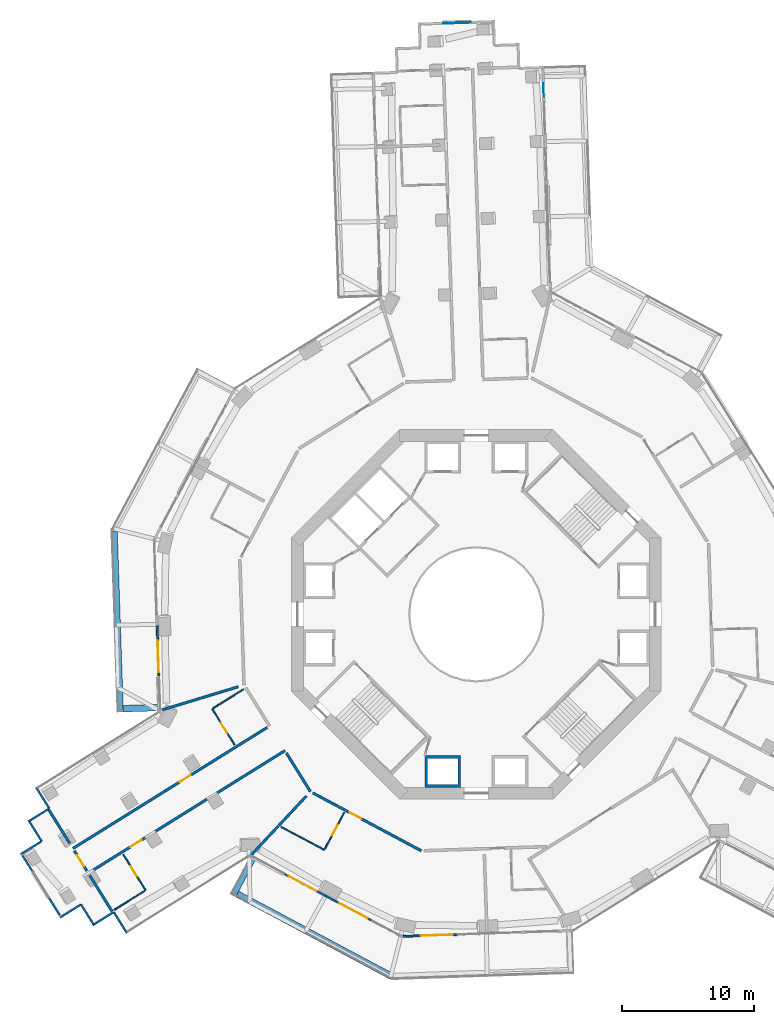
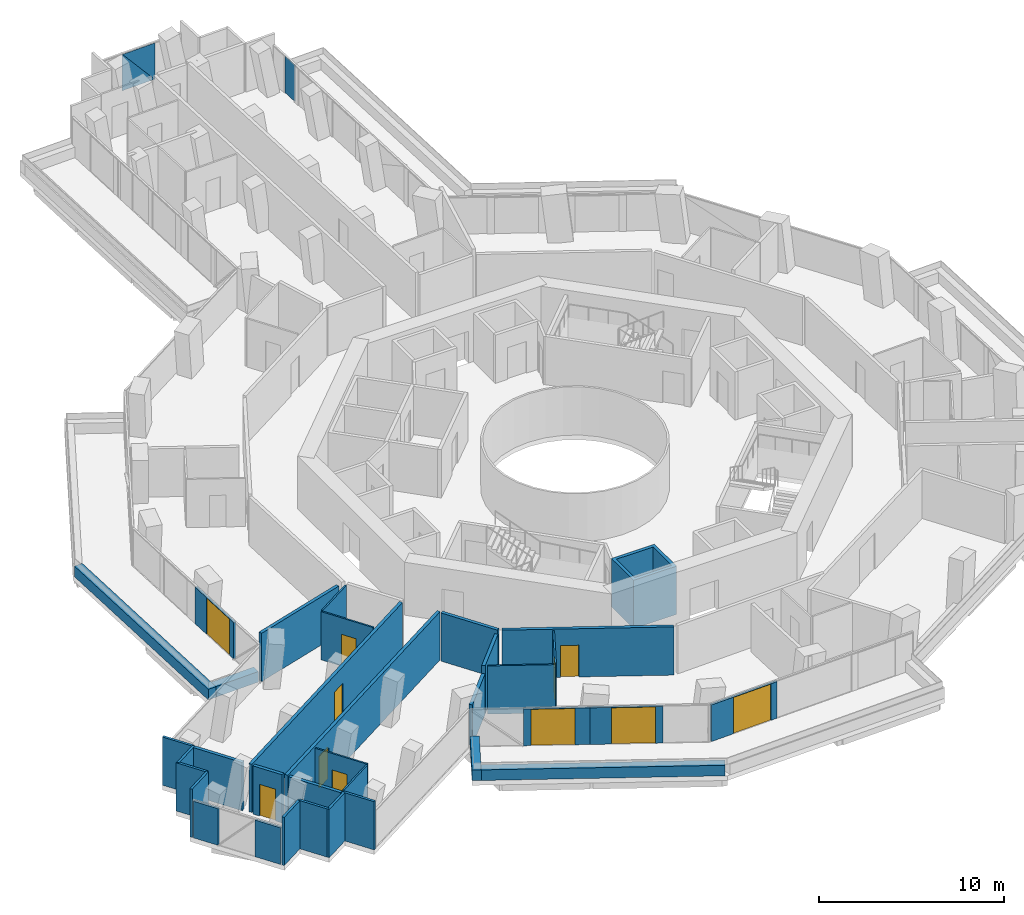
# One storey, part 18 of 27: 35 walls, 11 doors, 3 plates, 11 openings, 2 elements without a shape of their own.
"""IFC4 building model written with IfcOpenShell, lengths in metres."""

from ifc_helpers import new_model, si_unit, direction, frame, frame_2d, origin, origin_2d, place, context, subcontext, project, spatial, polyline, rectangle, outline, extrude, material, layer, layer_set, type_object, element, fill, aggregate, save


model = new_model("IFC4")

# Units and contexts
model_context = context("Model", 3, precision=1e-05, world=origin(), true_north=direction((0.0, 1.0)))
body_context = subcontext(model_context, "Body", "Model", "MODEL_VIEW")
ifc_project = project(units=[si_unit("LENGTHUNIT", "METRE"), si_unit("AREAUNIT", "SQUARE_METRE"), si_unit("VOLUMEUNIT", "CUBIC_METRE"), si_unit("PLANEANGLEUNIT", "RADIAN"), si_unit("MASSUNIT", "GRAM", prefix="KILO")], contexts=[model_context])

# Site, building, storey
site_placement = place(None, origin())
site = spatial("IfcSite", under=ifc_project, at=site_placement, CompositionType="ELEMENT")
building_placement = place(site_placement, origin())
building = spatial("IfcBuilding", under=site, at=building_placement, Name="Verdalira Terraces Hotel", CompositionType="ELEMENT")
storey_placement = place(building_placement, frame((0.0, 0.0, 42.5)))
storey = spatial("IfcBuildingStorey", under=building, at=storey_placement, Name="L08", CompositionType="ELEMENT", Elevation=42.5)

# Curtain wall, plate
ifc_material_1 = material(Name="Clear glass", Category="glass")
ifc_layer_1 = layer(ifc_material_1, 0.14990234375)
ifc_layer_set_1 = layer_set([ifc_layer_1], Name="CW2 curtain wall")
curtain_wall_type_1 = type_object("IfcCurtainWallType", Name="CW2 curtain wall", PredefinedType="NOTDEFINED", material=ifc_layer_set_1)
curtain_wall_1_placement = place(storey_placement, origin())
curtain_wall_1 = element("IfcCurtainWall", 1, at=curtain_wall_1_placement, inside=storey, type_object=curtain_wall_type_1, Name="CW2 curtain wall L08 edge 0", PredefinedType="NOTDEFINED")
ifc_material_2 = material(Name="Clear glass", Category="glass")
ifc_layer_2 = layer(ifc_material_2, 0.031982421875)
ifc_layer_set_2 = layer_set([ifc_layer_2], Name="CW2 glass unit 32")
plate_type_1 = type_object("IfcPlateType", Name="CW2 glass unit 32", PredefinedType="CURTAIN_PANEL", material=ifc_layer_set_2)
plate_1_placement = place(storey_placement, frame((5.098145, 39.689697, 0.0), z_axis=(0.0, 0.0, 1.0), x_axis=(-0.03350405, 0.999438582, 0.0)))
plate_1 = element("IfcPlate", 2, at=plate_1_placement, type_object=plate_type_1, Name="CW2 glass unit", PredefinedType="CURTAIN_PANEL", context=body_context, shape_type="SweptSolid", body=[
    extrude(rectangle(XDim=1.030518, YDim=0.031982, at=origin_2d()), origin(), (0.0, 0.0, 1.0), 2.425049),
])
aggregate(curtain_wall_1, [plate_1])

# Curtain wall, plates
ifc_material_3 = material(Name="Clear glass", Category="glass")
ifc_layer_3 = layer(ifc_material_3, 0.14990234375)
ifc_layer_set_3 = layer_set([ifc_layer_3], Name="CW3 curtain wall")
curtain_wall_type_2 = type_object("IfcCurtainWallType", Name="CW3 curtain wall", PredefinedType="NOTDEFINED", material=ifc_layer_set_3)
curtain_wall_2_placement = place(storey_placement, origin())
curtain_wall_2 = element("IfcCurtainWall", 3, at=curtain_wall_2_placement, inside=storey, type_object=curtain_wall_type_2, Name="CW3 curtain wall L08 edge 5", PredefinedType="NOTDEFINED")
ifc_material_4 = material(Name="Clear glass", Category="glass")
ifc_layer_4 = layer(ifc_material_4, 0.035888671875)
ifc_layer_set_4 = layer_set([ifc_layer_4], Name="CW3 glass unit 36")
plate_type_2 = type_object("IfcPlateType", Name="CW3 glass unit 36", PredefinedType="CURTAIN_PANEL", material=ifc_layer_set_4)
plate_2_placement = place(storey_placement, frame((-1.458496, 44.784668, 1.212402), z_axis=(-0.03350405, 0.999438582, 0.0), x_axis=(-0.999438582, -0.03350405, 0.0)))
plate_2 = element("IfcPlate", 4, at=plate_2_placement, type_object=plate_type_2, Name="CW3 glass unit", PredefinedType="CURTAIN_PANEL", context=body_context, shape_type="SweptSolid", body=[
    extrude(outline(polyline([(-1.032959, -1.212402), (1.032959, -1.212402), (1.032959, 1.212402), (-1.032959, -1.212402)])), origin(), (0.0, 0.0, 1.0), 0.035889),
])
plate_3_placement = place(storey_placement, frame((-1.457031, 44.747559, 1.212402), z_axis=(-0.03350405, 0.999438582, 0.0), x_axis=(-0.999438582, -0.03350405, 0.0)))
plate_3 = element("IfcPlate", 5, at=plate_3_placement, type_object=plate_type_2, Name="CW3 glass unit", PredefinedType="CURTAIN_PANEL", context=body_context, shape_type="SweptSolid", body=[
    extrude(outline(polyline([(-1.032959, -1.212402), (1.032959, 1.212402), (-1.032959, 1.212402), (-1.032959, -1.212402)])), origin(), (0.0, 0.0, 1.0), 0.035889),
])
aggregate(curtain_wall_2, [plate_2, plate_3])

# Walls
ifc_material_5 = material(Name="Concrete C40", Category="concrete")
ifc_layer_5 = layer(ifc_material_5, 0.5)
ifc_layer_set_5 = layer_set([ifc_layer_5], Name="Balcony planter trough with tree")
wall_type_1 = type_object("IfcWallType", Name="Balcony planter trough with tree", PredefinedType="SOLIDWALL", material=ifc_layer_set_5)
wall_1_placement = place(storey_placement, frame((-27.435059, 6.307861, 0.0), z_axis=(0.0, 0.0, 1.0), x_axis=(0.033498455, -0.999438769, 0.0)))
element("IfcWall", 6, at=wall_1_placement, inside=storey, type_object=wall_type_1, Name="Balcony planter", PredefinedType="SOLIDWALL", context=body_context, shape_type="SweptSolid", body=[
    extrude(rectangle(XDim=13.723633, YDim=0.5, at=frame_2d((6.861816, 0.0))), origin(), (0.0, 0.0, 1.0), 0.699951),
])
wall_2_placement = place(storey_placement, frame((-26.733887, -7.149658, 0.0), z_axis=(0.0, 0.0, 1.0), x_axis=(0.999439775, 0.033468433, 0.0)))
element("IfcWall", 7, at=wall_2_placement, inside=storey, type_object=wall_type_1, Name="Balcony planter", PredefinedType="SOLIDWALL", context=body_context, shape_type="SweptSolid", body=[
    extrude(rectangle(XDim=2.698975, YDim=0.5, at=frame_2d((1.349609, 0.0))), origin(), (0.0, 0.0, 1.0), 0.699951),
])
wall_3_placement = place(storey_placement, frame((-16.93335, -18.461914, 0.0), z_axis=(0.0, 0.0, 1.0), x_axis=(-0.470655574, -0.882317024, 0.0)))
element("IfcWall", 8, at=wall_3_placement, inside=storey, type_object=wall_type_1, Name="Balcony planter", PredefinedType="SOLIDWALL", context=body_context, shape_type="SweptSolid", body=[
    extrude(rectangle(XDim=3.198975, YDim=0.5, at=frame_2d((1.599609, 0.0))), origin(), (0.0, 0.0, 1.0), 0.699951),
])
wall_4_placement = place(storey_placement, frame((-18.10083, -21.181396, 0.0), z_axis=(0.0, 0.0, 1.0), x_axis=(0.882291093, -0.470704182, 0.0)))
element("IfcWall", 9, at=wall_4_placement, inside=storey, type_object=wall_type_1, Name="Balcony planter", PredefinedType="SOLIDWALL", context=body_context, shape_type="SweptSolid", body=[
    extrude(rectangle(XDim=13.223633, YDim=0.5, at=frame_2d((6.611816, 0.0))), origin(), (0.0, 0.0, 1.0), 0.699951),
])
ifc_material_6 = material(Name="Moisture-resistant gypsum board partition")
ifc_layer_6 = layer(ifc_material_6, 0.10009765625)
ifc_layer_set_6 = layer_set([ifc_layer_6], Name="Bathroom partition 100 mm")
wall_type_2 = type_object("IfcWallType", Name="Bathroom partition 100 mm", PredefinedType="PARTITIONING", material=ifc_layer_set_6)
wall_5_placement = place(storey_placement, frame((-25.122559, -20.951172, 0.0), z_axis=(0.0, 0.0, 1.0), x_axis=(-0.848764455, -0.528771123, 0.0)))
element("IfcWall", 10, at=wall_5_placement, inside=storey, type_object=wall_type_2, Name="Bathroom partition", PredefinedType="PARTITIONING", context=body_context, shape_type="SweptSolid", body=[
    extrude(rectangle(XDim=2.700195, YDim=0.100098, at=frame_2d((1.350098, 0.0))), origin(), (0.0, 0.0, 1.0), 3.189941),
])

# Wall, opening, door
wall_6_placement = place(storey_placement, frame((-25.037598, -20.898193, 0.0), z_axis=(0.0, 0.0, 1.0), x_axis=(-0.528729608, 0.848790316, 0.0)))
wall_6 = element("IfcWall", 11, at=wall_6_placement, inside=storey, type_object=wall_type_2, Name="Bathroom partition", PredefinedType="PARTITIONING", context=body_context, shape_type="SweptSolid", body=[
    extrude(rectangle(XDim=3.199951, YDim=0.100098, at=frame_2d((1.600098, 0.0))), origin(), (0.0, 0.0, 1.0), 3.189941),
])
opening_1_placement = place(wall_6_placement, frame((1.25, 0.0, 0.0)))
opening_1 = element("IfcOpeningElement", 12, at=opening_1_placement, cuts=wall_6, Name="Opening L08-116", PredefinedType="OPENING", context=body_context, shape_type="SweptSolid", body=[
    extrude(rectangle(XDim=0.899902, YDim=2.100098, at=frame_2d((0.449951, 1.050049))), frame((0.0, 0.060059, 0.0), z_axis=(0.0, -1.0, 0.0), x_axis=(1.0, 0.0, 0.0)), (0.0, 0.0, 1.0), 0.120117),
])
ifc_material_7 = material(Name="Timber door", Category="wood")
door_type_1 = type_object("IfcDoorType", Name="Bathroom door 900 x 2100", OperationType="NOTDEFINED", PredefinedType="DOOR", material=ifc_material_7)
door_1_placement = place(opening_1_placement, origin())
door_1 = element("IfcDoor", 13, at=door_1_placement, inside=storey, type_object=door_type_1, Name="Bathroom door 0808", OperationType="SINGLE_SWING_LEFT", OverallHeight=2.10009765625, OverallWidth=0.89990234375, PredefinedType="DOOR", context=body_context, shape_type="SweptSolid", body=[
    extrude(rectangle(XDim=0.899902, YDim=2.100098, at=frame_2d((0.449951, 1.050049))), frame((0.0, 0.024902, 0.0), z_axis=(0.0, -1.0, 0.0), x_axis=(1.0, 0.0, 0.0)), (0.0, 0.0, 1.0), 0.050049),
])
fill(opening_1, door_1)

wall_7_placement = place(storey_placement, frame((-19.998779, -7.156006, 0.0), z_axis=(0.0, 0.0, 1.0), x_axis=(0.52869537, -0.848811643, 0.0)))
wall_7 = element("IfcWall", 14, at=wall_7_placement, inside=storey, type_object=wall_type_2, Name="Bathroom partition", PredefinedType="PARTITIONING", context=body_context, shape_type="SweptSolid", body=[
    extrude(rectangle(XDim=3.200195, YDim=0.100098, at=frame_2d((1.600098, 0.0))), origin(), (0.0, 0.0, 1.0), 3.189941),
])
opening_2_placement = place(wall_7_placement, frame((1.25, 0.0, 0.0)))
opening_2 = element("IfcOpeningElement", 15, at=opening_2_placement, cuts=wall_7, Name="Opening L08-113", PredefinedType="OPENING", context=body_context, shape_type="SweptSolid", body=[
    extrude(rectangle(XDim=0.899902, YDim=2.100098, at=frame_2d((0.449951, 1.050049))), frame((0.0, 0.060059, 0.0), z_axis=(0.0, -1.0, 0.0), x_axis=(1.0, 0.0, 0.0)), (0.0, 0.0, 1.0), 0.120117),
])
door_2_placement = place(opening_2_placement, origin())
door_2 = element("IfcDoor", 16, at=door_2_placement, inside=storey, type_object=door_type_1, Name="Bathroom door 0806", OperationType="SINGLE_SWING_LEFT", OverallHeight=2.10009765625, OverallWidth=0.89990234375, PredefinedType="DOOR", context=body_context, shape_type="SweptSolid", body=[
    extrude(rectangle(XDim=0.899902, YDim=2.100098, at=frame_2d((0.449951, 1.050049))), frame((0.0, 0.024902, 0.0), z_axis=(0.0, -1.0, 0.0), x_axis=(1.0, 0.0, 0.0)), (0.0, 0.0, 1.0), 0.050049),
])
fill(opening_2, door_2)

# Walls
wall_8_placement = place(storey_placement, frame((-19.913818, -7.103271, 0.0), z_axis=(0.0, 0.0, 1.0), x_axis=(0.848764455, 0.528771123, 0.0)))
element("IfcWall", 17, at=wall_8_placement, inside=storey, type_object=wall_type_2, Name="Bathroom partition", PredefinedType="PARTITIONING", context=body_context, shape_type="SweptSolid", body=[
    extrude(rectangle(XDim=2.700195, YDim=0.100098, at=frame_2d((1.350098, 0.0))), origin(), (0.0, 0.0, 1.0), 3.189941),
])
wall_9_placement = place(storey_placement, frame((-11.510742, -17.840088, 0.0), z_axis=(0.0, 0.0, 1.0), x_axis=(-0.882303673, 0.470680601, 0.0)))
element("IfcWall", 18, at=wall_9_placement, inside=storey, type_object=wall_type_2, Name="Bathroom partition", PredefinedType="PARTITIONING", context=body_context, shape_type="SweptSolid", body=[
    extrude(rectangle(XDim=3.704102, YDim=0.100098, at=frame_2d((1.852051, 0.0))), origin(), (0.0, 0.0, 1.0), 3.189941),
])

# Wall, opening, door
wall_10_placement = place(storey_placement, frame((-11.463623, -17.751953, 0.0), z_axis=(0.0, 0.0, 1.0), x_axis=(0.470714946, 0.88228535, 0.0)))
wall_10 = element("IfcWall", 19, at=wall_10_placement, inside=storey, type_object=wall_type_2, Name="Bathroom partition", PredefinedType="PARTITIONING", context=body_context, shape_type="SweptSolid", body=[
    extrude(rectangle(XDim=3.100098, YDim=0.100098, at=frame_2d((1.550049, 0.0))), origin(), (0.0, 0.0, 1.0), 3.189941),
])
opening_3_placement = place(wall_10_placement, frame((1.149902, 0.0, 0.0)))
opening_3 = element("IfcOpeningElement", 20, at=opening_3_placement, cuts=wall_10, Name="Opening L08-118", PredefinedType="OPENING", context=body_context, shape_type="SweptSolid", body=[
    extrude(rectangle(XDim=0.899902, YDim=2.100098, at=frame_2d((0.449951, 1.050049))), frame((0.0, 0.060059, 0.0), z_axis=(0.0, -1.0, 0.0), x_axis=(1.0, 0.0, 0.0)), (0.0, 0.0, 1.0), 0.120117),
])
door_3_placement = place(opening_3_placement, origin())
door_3 = element("IfcDoor", 21, at=door_3_placement, inside=storey, type_object=door_type_1, Name="Bathroom door 0809", OperationType="SINGLE_SWING_LEFT", OverallHeight=2.10009765625, OverallWidth=0.89990234375, PredefinedType="DOOR", context=body_context, shape_type="SweptSolid", body=[
    extrude(rectangle(XDim=0.899902, YDim=2.100098, at=frame_2d((0.449951, 1.050049))), frame((0.0, 0.024902, 0.0), z_axis=(0.0, -1.0, 0.0), x_axis=(1.0, 0.0, 0.0)), (0.0, 0.0, 1.0), 0.050049),
])
fill(opening_3, door_3)

# Walls
ifc_material_8 = material(Name="Concrete C50", Category="concrete")
ifc_layer_7 = layer(ifc_material_8, 0.199951171875)
ifc_layer_set_7 = layer_set([ifc_layer_7], Name="Core RC wall 200 C50")
wall_type_3 = type_object("IfcWallType", Name="Core RC wall 200 C50", PredefinedType="SOLIDWALL", material=ifc_layer_set_7)
wall_11_placement = place(storey_placement, origin())
element("IfcWall", 22, at=wall_11_placement, inside=storey, type_object=wall_type_3, Name="L08 shaft wall S1", PredefinedType="SOLIDWALL", context=body_context, shape_type="SweptSolid", body=[
    extrude(outline(polyline([(-1.199951, -13.100098), (-3.899902, -13.100098), (-3.899902, -10.699951), (-1.199951, -10.699951), (-1.199951, -13.100098)]), holes=[polyline([(-3.699951, -10.899902), (-3.699951, -12.899902), (-1.399902, -12.899902), (-1.399902, -10.899902), (-3.699951, -10.899902)])]), origin(), (0.0, 0.0, 1.0), 3.189941),
])
ifc_material_9 = material(Name="Fire-rated gypsum board wall")
ifc_layer_8 = layer(ifc_material_9, 0.199951171875)
ifc_layer_set_8 = layer_set([ifc_layer_8], Name="Demising wall 200 mm")
wall_type_4 = type_object("IfcWallType", Name="Demising wall 200 mm", PredefinedType="SOLIDWALL", material=ifc_layer_set_8)
wall_12_placement = place(storey_placement, frame((-32.368896, -14.802979, 0.0), z_axis=(0.0, 0.0, 1.0), x_axis=(0.528712102, -0.848801221, 0.0)))
element("IfcWall", 23, at=wall_12_placement, inside=storey, type_object=wall_type_4, Name="Demising wall", PredefinedType="SOLIDWALL", context=body_context, shape_type="SweptSolid", body=[
    extrude(rectangle(XDim=3.00293, YDim=0.199951, at=frame_2d((1.501465, 0.0))), origin(), (0.0, 0.0, 1.0), 3.189941),
])
wall_13_placement = place(storey_placement, frame((-29.2771, -19.766602, 0.0), z_axis=(0.0, 0.0, 1.0), x_axis=(0.52874493, -0.848780772, 0.0)))
element("IfcWall", 24, at=wall_13_placement, inside=storey, type_object=wall_type_4, Name="Demising wall", PredefinedType="SOLIDWALL", context=body_context, shape_type="SweptSolid", body=[
    extrude(rectangle(XDim=3.204102, YDim=0.199951, at=frame_2d((1.602051, 0.0))), origin(), (0.0, 0.0, 1.0), 3.189941),
])
wall_14_placement = place(storey_placement, frame((-18.016846, -5.480713, 0.0), z_axis=(0.0, 0.0, 1.0), x_axis=(-0.956709073, -0.291045958, 0.0)))
element("IfcWall", 25, at=wall_14_placement, inside=storey, type_object=wall_type_4, Name="Demising wall", PredefinedType="SOLIDWALL", context=body_context, shape_type="SweptSolid", body=[
    extrude(rectangle(XDim=6.131836, YDim=0.199951, at=frame_2d((3.065918, 0.0))), origin(), (0.0, 0.0, 1.0), 3.189941),
])
wall_15_placement = place(storey_placement, frame((-12.862549, -13.754883, 0.0), z_axis=(0.0, 0.0, 1.0), x_axis=(-0.683008227, -0.730410681, 0.0)))
element("IfcWall", 26, at=wall_15_placement, inside=storey, type_object=wall_type_4, Name="Demising wall", PredefinedType="SOLIDWALL", context=body_context, shape_type="SweptSolid", body=[
    extrude(rectangle(XDim=3.074707, YDim=0.199951, at=frame_2d((1.537354, 0.0))), origin(), (0.0, 0.0, 1.0), 3.189941),
])
ifc_material_10 = material(Name="Fire-rated gypsum board wall")
ifc_layer_9 = layer(ifc_material_10, 0.199951171875)
ifc_layer_set_9 = layer_set([ifc_layer_9], Name="Demising wall 200 mm to beam soffit")
wall_type_5 = type_object("IfcWallType", Name="Demising wall 200 mm to beam soffit", PredefinedType="SOLIDWALL", material=ifc_layer_set_9)
wall_16_placement = place(storey_placement, frame((-14.994141, -16.03418, 0.0), z_axis=(0.0, 0.0, 1.0), x_axis=(-0.682993923, -0.730424056, 0.0)))
element("IfcWall", 27, at=wall_16_placement, inside=storey, type_object=wall_type_5, Name="Demising wall", PredefinedType="SOLIDWALL", context=body_context, shape_type="SweptSolid", body=[
    extrude(rectangle(XDim=3.01123, YDim=0.199951, at=frame_2d((1.505615, 0.0))), origin(), (0.0, 0.0, 1.0), 2.689941),
])

# Wall, opening, door
ifc_material_11 = material(Name="Fire-rated gypsum board wall")
ifc_layer_10 = layer(ifc_material_11, 0.199951171875)
ifc_layer_set_10 = layer_set([ifc_layer_10], Name="Guest corridor wall 200 mm")
wall_type_6 = type_object("IfcWallType", Name="Guest corridor wall 200 mm", PredefinedType="SOLIDWALL", material=ifc_layer_set_10)
wall_17_placement = place(storey_placement, frame((-29.486328, -19.430664, 0.0), z_axis=(0.0, 0.0, 1.0), x_axis=(-0.52876843, 0.848766132, 0.0)))
wall_17 = element("IfcWall", 28, at=wall_17_placement, inside=storey, type_object=wall_type_6, Name="Guest corridor wall", PredefinedType="SOLIDWALL", context=body_context, shape_type="SweptSolid", body=[
    extrude(rectangle(XDim=1.802002, YDim=0.199951, at=frame_2d((0.900879, 0.0))), origin(), (0.0, 0.0, 1.0), 3.189941),
])
opening_4_placement = place(wall_17_placement, frame((0.399902, 0.0, 0.0)))
opening_4 = element("IfcOpeningElement", 29, at=opening_4_placement, cuts=wall_17, Name="Opening L08-114", PredefinedType="OPENING", context=body_context, shape_type="SweptSolid", body=[
    extrude(rectangle(XDim=1.0, YDim=2.100098, at=frame_2d((0.5, 1.050049))), frame((0.0, 0.109863, 0.0), z_axis=(0.0, -1.0, 0.0), x_axis=(1.0, 0.0, 0.0)), (0.0, 0.0, 1.0), 0.219971),
])
ifc_material_12 = material(Name="Timber door", Category="wood")
door_type_2 = type_object("IfcDoorType", Name="Lounge door 1000 x 2100", OperationType="NOTDEFINED", PredefinedType="DOOR", material=ifc_material_12)
door_4_placement = place(opening_4_placement, origin())
door_4 = element("IfcDoor", 30, at=door_4_placement, inside=storey, type_object=door_type_2, Name="Lounge door 0807", OperationType="SINGLE_SWING_LEFT", OverallHeight=2.10009765625, OverallWidth=1.0, PredefinedType="DOOR", context=body_context, shape_type="SweptSolid", body=[
    extrude(rectangle(XDim=1.0, YDim=2.100098, at=frame_2d((0.5, 1.050049))), frame((0.0, 0.024902, 0.0), z_axis=(0.0, -1.0, 0.0), x_axis=(1.0, 0.0, 0.0)), (0.0, 0.0, 1.0), 0.050049),
])
fill(opening_4, door_4)

wall_18_placement = place(storey_placement, frame((-30.544922, -17.731201, 0.0), z_axis=(0.0, 0.0, 1.0), x_axis=(0.848790586, 0.528729175, 0.0)))
wall_18 = element("IfcWall", 31, at=wall_18_placement, inside=storey, type_object=wall_type_6, Name="Guest corridor wall", PredefinedType="SOLIDWALL", context=body_context, shape_type="SweptSolid", body=[
    extrude(rectangle(XDim=17.342773, YDim=0.199951, at=frame_2d((8.671387, 0.0))), origin(), (0.0, 0.0, 1.0), 3.189941),
])
opening_5_placement = place(wall_18_placement, frame((9.5, 0.0, 0.0)))
opening_5 = element("IfcOpeningElement", 32, at=opening_5_placement, cuts=wall_18, Name="Opening L08-112", PredefinedType="OPENING", context=body_context, shape_type="SweptSolid", body=[
    extrude(rectangle(XDim=1.0, YDim=2.100098, at=frame_2d((0.5, 1.050049))), frame((0.0, 0.109863, 0.0), z_axis=(0.0, -1.0, 0.0), x_axis=(1.0, 0.0, 0.0)), (0.0, 0.0, 1.0), 0.219971),
])
ifc_material_13 = material(Name="Timber fire door", Category="wood")
door_type_3 = type_object("IfcDoorType", Name="Guest entry door 1000 x 2100", OperationType="NOTDEFINED", PredefinedType="DOOR", material=ifc_material_13)
door_5_placement = place(opening_5_placement, origin())
door_5 = element("IfcDoor", 33, at=door_5_placement, inside=storey, type_object=door_type_3, Name="Guest entry door 0806", OperationType="SINGLE_SWING_LEFT", OverallHeight=2.10009765625, OverallWidth=1.0, PredefinedType="DOOR", context=body_context, shape_type="SweptSolid", body=[
    extrude(rectangle(XDim=1.0, YDim=2.100098, at=frame_2d((0.5, 1.050049))), frame((0.0, 0.024902, 0.0), z_axis=(0.0, -1.0, 0.0), x_axis=(1.0, 0.0, 0.0)), (0.0, 0.0, 1.0), 0.050049),
])
fill(opening_5, door_5)

wall_19_placement = place(storey_placement, frame((-14.491455, -10.322998, 0.0), z_axis=(0.0, 0.0, 1.0), x_axis=(-0.848783902, -0.528739905, 0.0)))
wall_19 = element("IfcWall", 34, at=wall_19_placement, inside=storey, type_object=wall_type_6, Name="Guest corridor wall", PredefinedType="SOLIDWALL", context=body_context, shape_type="SweptSolid", body=[
    extrude(rectangle(XDim=17.542969, YDim=0.199951, at=frame_2d((8.771484, 0.0))), origin(), (0.0, 0.0, 1.0), 3.189941),
])
opening_6_placement = place(wall_19_placement, frame((12.800049, 0.0, 0.0)))
opening_6 = element("IfcOpeningElement", 35, at=opening_6_placement, cuts=wall_19, Name="Opening L08-115", PredefinedType="OPENING", context=body_context, shape_type="SweptSolid", body=[
    extrude(rectangle(XDim=1.0, YDim=2.100098, at=frame_2d((0.5, 1.050049))), frame((0.0, 0.109863, 0.0), z_axis=(0.0, -1.0, 0.0), x_axis=(1.0, 0.0, 0.0)), (0.0, 0.0, 1.0), 0.219971),
])
door_6_placement = place(opening_6_placement, origin())
door_6 = element("IfcDoor", 36, at=door_6_placement, inside=storey, type_object=door_type_3, Name="Guest entry door 0808", OperationType="SINGLE_SWING_LEFT", OverallHeight=2.10009765625, OverallWidth=1.0, PredefinedType="DOOR", context=body_context, shape_type="SweptSolid", body=[
    extrude(rectangle(XDim=1.0, YDim=2.100098, at=frame_2d((0.5, 1.050049))), frame((0.0, 0.024902, 0.0), z_axis=(0.0, -1.0, 0.0), x_axis=(1.0, 0.0, 0.0)), (0.0, 0.0, 1.0), 0.050049),
])
fill(opening_6, door_6)

# Wall
wall_20_placement = place(storey_placement, frame((-14.385742, -10.49292, 0.0), z_axis=(0.0, 0.0, 1.0), x_axis=(0.52876097, -0.84877078, 0.0)))
element("IfcWall", 37, at=wall_20_placement, inside=storey, type_object=wall_type_6, Name="Guest corridor wall", PredefinedType="SOLIDWALL", context=body_context, shape_type="SweptSolid", body=[
    extrude(rectangle(XDim=3.458252, YDim=0.199951, at=frame_2d((1.729004, 0.0))), origin(), (0.0, 0.0, 1.0), 3.189941),
])

# Wall, opening, door
wall_21_placement = place(storey_placement, frame((-4.161133, -17.907471, 0.0), z_axis=(0.0, 0.0, 1.0), x_axis=(-0.882295625, 0.470695688, 0.0)))
wall_21 = element("IfcWall", 38, at=wall_21_placement, inside=storey, type_object=wall_type_6, Name="Guest corridor wall", PredefinedType="SOLIDWALL", context=body_context, shape_type="SweptSolid", body=[
    extrude(rectangle(XDim=9.315918, YDim=0.199951, at=frame_2d((4.657959, 0.0))), origin(), (0.0, 0.0, 1.0), 3.189941),
])
opening_7_placement = place(wall_21_placement, frame((5.149902, 0.0, 0.0)))
opening_7 = element("IfcOpeningElement", 39, at=opening_7_placement, cuts=wall_21, Name="Opening L08-117", PredefinedType="OPENING", context=body_context, shape_type="SweptSolid", body=[
    extrude(rectangle(XDim=1.0, YDim=2.100098, at=frame_2d((0.5, 1.050049))), frame((0.0, 0.109863, 0.0), z_axis=(0.0, -1.0, 0.0), x_axis=(1.0, 0.0, 0.0)), (0.0, 0.0, 1.0), 0.219971),
])
door_7_placement = place(opening_7_placement, origin())
door_7 = element("IfcDoor", 40, at=door_7_placement, inside=storey, type_object=door_type_3, Name="Guest entry door 0809", OperationType="SINGLE_SWING_LEFT", OverallHeight=2.10009765625, OverallWidth=1.0, PredefinedType="DOOR", context=body_context, shape_type="SweptSolid", body=[
    extrude(rectangle(XDim=1.0, YDim=2.100098, at=frame_2d((0.5, 1.050049))), frame((0.0, 0.024902, 0.0), z_axis=(0.0, -1.0, 0.0), x_axis=(1.0, 0.0, 0.0)), (0.0, 0.0, 1.0), 0.050049),
])
fill(opening_7, door_7)

# Walls
ifc_material_14 = material(Name="Terracotta cladding", Category="masonry")
ifc_layer_11 = layer(ifc_material_14, 0.14990234375)
ifc_layer_set_11 = layer_set([ifc_layer_11], Name="Terracotta clad wall 150")
wall_type_7 = type_object("IfcWallType", Name="Terracotta clad wall 150", PredefinedType="SOLIDWALL", material=ifc_layer_set_11)
wall_22_placement = place(storey_placement, frame((-33.336426, -13.108154, 0.0), z_axis=(0.0, 0.0, 1.0), x_axis=(0.528746092, -0.848780048, 0.0)))
element("IfcWall", 41, at=wall_22_placement, inside=storey, type_object=wall_type_7, Name="Terracotta cladding wall", PredefinedType="SOLIDWALL", context=body_context, shape_type="SweptSolid", body=[
    extrude(rectangle(XDim=1.875, YDim=0.149902, at=frame_2d((0.9375, 0.0))), origin(), (0.0, 0.0, 1.0), 3.189941),
])
wall_23_placement = place(storey_placement, frame((-32.344971, -14.699707, 0.0), z_axis=(0.0, 0.0, 1.0), x_axis=(-0.848805034, -0.52870598, 0.0)))
element("IfcWall", 42, at=wall_23_placement, inside=storey, type_object=wall_type_7, Name="Terracotta cladding wall", PredefinedType="SOLIDWALL", context=body_context, shape_type="SweptSolid", body=[
    extrude(rectangle(XDim=1.800049, YDim=0.149902, at=frame_2d((0.899902, 0.0))), origin(), (0.0, 0.0, 1.0), 3.189941),
])
for number, where, z_axis, x_axis, name in (
    (43, (-33.912354, -15.587646, 0.0), (0.0, 0.0, 1.0), (0.528652282, -0.84883848, 0.0), "Terracotta cladding wall"),
    (44, (-32.921143, -17.179199, 0.0), (0.0, 0.0, 1.0), (-0.848743641, -0.52880453, 0.0), "Terracotta cladding wall"),
    (45, (-31.525146, -22.966309, 0.0), (0.0, 0.0, 1.0), (0.848743641, 0.52880453, 0.0), "Terracotta cladding wall"),
):
    element("IfcWall", number, at=place(storey_placement, frame(where, z_axis=z_axis, x_axis=x_axis)), inside=storey, type_object=wall_type_7, Name=name, PredefinedType="SOLIDWALL", context=body_context, shape_type="SweptSolid", body=[
        extrude(rectangle(XDim=1.875, YDim=0.149902, at=frame_2d((0.9375, 0.0))), origin(), (0.0, 0.0, 1.0), 3.189941),
    ])
wall_24_placement = place(storey_placement, frame((-29.933838, -21.974854, 0.0), z_axis=(0.0, 0.0, 1.0), x_axis=(0.528803691, -0.848744164, 0.0)))
element("IfcWall", 46, at=wall_24_placement, inside=storey, type_object=wall_type_7, Name="Terracotta cladding wall", PredefinedType="SOLIDWALL", context=body_context, shape_type="SweptSolid", body=[
    extrude(rectangle(XDim=1.800049, YDim=0.149902, at=frame_2d((0.899902, 0.0))), origin(), (0.0, 0.0, 1.0), 3.189941),
])
wall_25_placement = place(storey_placement, frame((-29.045654, -23.542236, 0.0), z_axis=(0.0, 0.0, 1.0), x_axis=(0.84883848, 0.528652282, 0.0)))
element("IfcWall", 47, at=wall_25_placement, inside=storey, type_object=wall_type_7, Name="Terracotta cladding wall", PredefinedType="SOLIDWALL", context=body_context, shape_type="SweptSolid", body=[
    extrude(rectangle(XDim=1.875, YDim=0.149902, at=frame_2d((0.9375, 0.0))), origin(), (0.0, 0.0, 1.0), 3.189941),
])
wall_26_placement = place(storey_placement, frame((-27.454102, -22.551025, 0.0), z_axis=(0.0, 0.0, 1.0), x_axis=(0.528710718, -0.848802083, 0.0)))
element("IfcWall", 48, at=wall_26_placement, inside=storey, type_object=wall_type_7, Name="Terracotta cladding wall", PredefinedType="SOLIDWALL", context=body_context, shape_type="SweptSolid", body=[
    extrude(rectangle(XDim=1.874756, YDim=0.149902, at=frame_2d((0.9375, 0.0))), origin(), (0.0, 0.0, 1.0), 3.189941),
])
ifc_material_15 = material(Name="Terracotta cladding", Category="masonry")
ifc_layer_12 = layer(ifc_material_15, 0.14990234375)
ifc_layer_set_12 = layer_set([ifc_layer_12], Name="Terracotta column pier 150")
wall_type_8 = type_object("IfcWallType", Name="Terracotta column pier 150", PredefinedType="SOLIDWALL", material=ifc_layer_set_12)
wall_27_placement = place(storey_placement, frame((-34.366943, -18.262451, 0.0), z_axis=(0.0, 0.0, 1.0), x_axis=(0.528713089, -0.848800607, 0.0)))
element("IfcWall", 49, at=wall_27_placement, inside=storey, type_object=wall_type_8, Name="Terracotta column pier", PredefinedType="SOLIDWALL", context=body_context, shape_type="SweptSolid", body=[
    extrude(rectangle(XDim=1.502686, YDim=0.149902, at=frame_2d((0.751465, 0.0))), origin(), (0.0, 0.0, 1.0), 2.425049),
])
wall_28_placement = place(storey_placement, frame((-32.378906, -21.453857, 0.0), z_axis=(0.0, 0.0, 1.0), x_axis=(0.528692889, -0.848813189, 0.0)))
element("IfcWall", 50, at=wall_28_placement, inside=storey, type_object=wall_type_8, Name="Terracotta column pier", PredefinedType="SOLIDWALL", context=body_context, shape_type="SweptSolid", body=[
    extrude(rectangle(XDim=1.580322, YDim=0.149902, at=frame_2d((0.790039, 0.0))), origin(), (0.0, 0.0, 1.0), 2.425049),
])

# Wall, opening, door
ifc_material_16 = material(Name="Terracotta cladding", Category="masonry")
ifc_layer_13 = layer(ifc_material_16, 0.14990234375)
ifc_layer_set_13 = layer_set([ifc_layer_13], Name="Terracotta door pier 150")
wall_type_9 = type_object("IfcWallType", Name="Terracotta door pier 150", PredefinedType="SOLIDWALL", material=ifc_layer_set_13)
wall_29_placement = place(storey_placement, frame((-24.169678, -0.810303, 0.0), z_axis=(0.0, 0.0, 1.0), x_axis=(0.033472875, -0.999439626, 0.0)))
wall_29 = element("IfcWall", 51, at=wall_29_placement, inside=storey, type_object=wall_type_9, Name="Terracotta door pier", PredefinedType="SOLIDWALL", context=body_context, shape_type="SweptSolid", body=[
    extrude(rectangle(XDim=3.960449, YDim=0.149902, at=frame_2d((1.980225, 0.0))), origin(), (0.0, 0.0, 1.0), 2.425049),
])
opening_8_placement = place(wall_29_placement, frame((1.1604, 0.0, 0.0)))
opening_8 = element("IfcOpeningElement", 52, at=opening_8_placement, cuts=wall_29, Name="Opening L08-B10", PredefinedType="OPENING", context=body_context, shape_type="SweptSolid", body=[
    extrude(rectangle(XDim=2.399902, YDim=2.399902, at=frame_2d((1.199951, 1.199951))), frame((0.0, 0.084961, 0.0), z_axis=(0.0, -1.0, 0.0), x_axis=(1.0, 0.0, 0.0)), (0.0, 0.0, 1.0), 0.169922),
])
ifc_material_17 = material(Name="Clear glass", Category="glass")
door_type_4 = type_object("IfcDoorType", Name="Balcony sliding door 2400x2400", OperationType="NOTDEFINED", PredefinedType="DOOR", material=ifc_material_17)
door_8_placement = place(opening_8_placement, origin())
door_8 = element("IfcDoor", 53, at=door_8_placement, inside=storey, type_object=door_type_4, Name="Balcony sliding door", OperationType="SLIDING_TO_LEFT", OverallHeight=2.39990234375, OverallWidth=2.39990234375, PredefinedType="DOOR", context=body_context, shape_type="SweptSolid", body=[
    extrude(rectangle(XDim=2.399902, YDim=2.399902, at=frame_2d((1.199951, 1.199951))), frame((0.0, 0.024902, 0.0), z_axis=(0.0, -1.0, 0.0), x_axis=(1.0, 0.0, 0.0)), (0.0, 0.0, 1.0), 0.050049),
])
fill(opening_8, door_8)

wall_30_placement = place(storey_placement, frame((-14.559326, -19.64209, 0.0), z_axis=(0.0, 0.0, 1.0), x_axis=(0.882272201, -0.470739592, 0.0)))
wall_30 = element("IfcWall", 54, at=wall_30_placement, inside=storey, type_object=wall_type_9, Name="Terracotta door pier", PredefinedType="SOLIDWALL", context=body_context, shape_type="SweptSolid", body=[
    extrude(rectangle(XDim=3.599854, YDim=0.149902, at=frame_2d((1.799805, 0.0))), origin(), (0.0, 0.0, 1.0), 2.425049),
])
opening_9_placement = place(wall_30_placement, frame((0.399902, 0.0, 0.0)))
opening_9 = element("IfcOpeningElement", 55, at=opening_9_placement, cuts=wall_30, Name="Opening L08-B11", PredefinedType="OPENING", context=body_context, shape_type="SweptSolid", body=[
    extrude(rectangle(XDim=2.399902, YDim=2.399902, at=frame_2d((1.199951, 1.199951))), frame((0.0, 0.084961, 0.0), z_axis=(0.0, -1.0, 0.0), x_axis=(1.0, 0.0, 0.0)), (0.0, 0.0, 1.0), 0.169922),
])
door_9_placement = place(opening_9_placement, origin())
door_9 = element("IfcDoor", 56, at=door_9_placement, inside=storey, type_object=door_type_4, Name="Balcony sliding door", OperationType="SLIDING_TO_RIGHT", OverallHeight=2.39990234375, OverallWidth=2.39990234375, PredefinedType="DOOR", context=body_context, shape_type="SweptSolid", body=[
    extrude(rectangle(XDim=2.399902, YDim=2.399902, at=frame_2d((1.199951, 1.199951))), frame((0.0, 0.024902, 0.0), z_axis=(0.0, -1.0, 0.0), x_axis=(1.0, 0.0, 0.0)), (0.0, 0.0, 1.0), 0.050049),
])
fill(opening_9, door_9)

wall_31_placement = place(storey_placement, frame((-11.383301, -21.33667, 0.0), z_axis=(0.0, 0.0, 1.0), x_axis=(0.882291504, -0.470703411, 0.0)))
wall_31 = element("IfcWall", 57, at=wall_31_placement, inside=storey, type_object=wall_type_9, Name="Terracotta door pier", PredefinedType="SOLIDWALL", context=body_context, shape_type="SweptSolid", body=[
    extrude(rectangle(XDim=3.960693, YDim=0.149902, at=frame_2d((1.980469, 0.0))), origin(), (0.0, 0.0, 1.0), 2.425049),
])
opening_10_placement = place(wall_31_placement, frame((1.1604, 0.0, 0.0)))
opening_10 = element("IfcOpeningElement", 58, at=opening_10_placement, cuts=wall_31, Name="Opening L08-B12", PredefinedType="OPENING", context=body_context, shape_type="SweptSolid", body=[
    extrude(rectangle(XDim=2.399902, YDim=2.399902, at=frame_2d((1.199951, 1.199951))), frame((0.0, 0.084961, 0.0), z_axis=(0.0, -1.0, 0.0), x_axis=(1.0, 0.0, 0.0)), (0.0, 0.0, 1.0), 0.169922),
])
door_10_placement = place(opening_10_placement, origin())
door_10 = element("IfcDoor", 59, at=door_10_placement, inside=storey, type_object=door_type_4, Name="Balcony sliding door", OperationType="SLIDING_TO_LEFT", OverallHeight=2.39990234375, OverallWidth=2.39990234375, PredefinedType="DOOR", context=body_context, shape_type="SweptSolid", body=[
    extrude(rectangle(XDim=2.399902, YDim=2.399902, at=frame_2d((1.199951, 1.199951))), frame((0.0, 0.024902, 0.0), z_axis=(0.0, -1.0, 0.0), x_axis=(1.0, 0.0, 0.0)), (0.0, 0.0, 1.0), 0.050049),
])
fill(opening_10, door_10)

wall_32_placement = place(storey_placement, frame((-5.585938, -24.384277, 0.0), z_axis=(0.0, 0.0, 1.0), x_axis=(0.999437006, 0.033551033, 0.0)))
wall_32 = element("IfcWall", 60, at=wall_32_placement, inside=storey, type_object=wall_type_9, Name="Terracotta door pier", PredefinedType="SOLIDWALL", context=body_context, shape_type="SweptSolid", body=[
    extrude(rectangle(XDim=4.19873, YDim=0.149902, at=frame_2d((2.099365, 0.0))), origin(), (0.0, 0.0, 1.0), 2.425049),
])
opening_11_placement = place(wall_32_placement, frame((1.398682, 0.0, 0.0)))
opening_11 = element("IfcOpeningElement", 61, at=opening_11_placement, cuts=wall_32, Name="Opening L08-B13", PredefinedType="OPENING", context=body_context, shape_type="SweptSolid", body=[
    extrude(rectangle(XDim=2.399902, YDim=2.399902, at=frame_2d((1.199951, 1.199951))), frame((0.0, 0.084961, 0.0), z_axis=(0.0, -1.0, 0.0), x_axis=(1.0, 0.0, 0.0)), (0.0, 0.0, 1.0), 0.169922),
])
door_11_placement = place(opening_11_placement, origin())
door_11 = element("IfcDoor", 62, at=door_11_placement, inside=storey, type_object=door_type_4, Name="Balcony sliding door", OperationType="SLIDING_TO_LEFT", OverallHeight=2.39990234375, OverallWidth=2.39990234375, PredefinedType="DOOR", context=body_context, shape_type="SweptSolid", body=[
    extrude(rectangle(XDim=2.399902, YDim=2.399902, at=frame_2d((1.199951, 1.199951))), frame((0.0, 0.024902, 0.0), z_axis=(0.0, -1.0, 0.0), x_axis=(1.0, 0.0, 0.0)), (0.0, 0.0, 1.0), 0.050049),
])
fill(opening_11, door_11)

save(model, "model.ifc")
